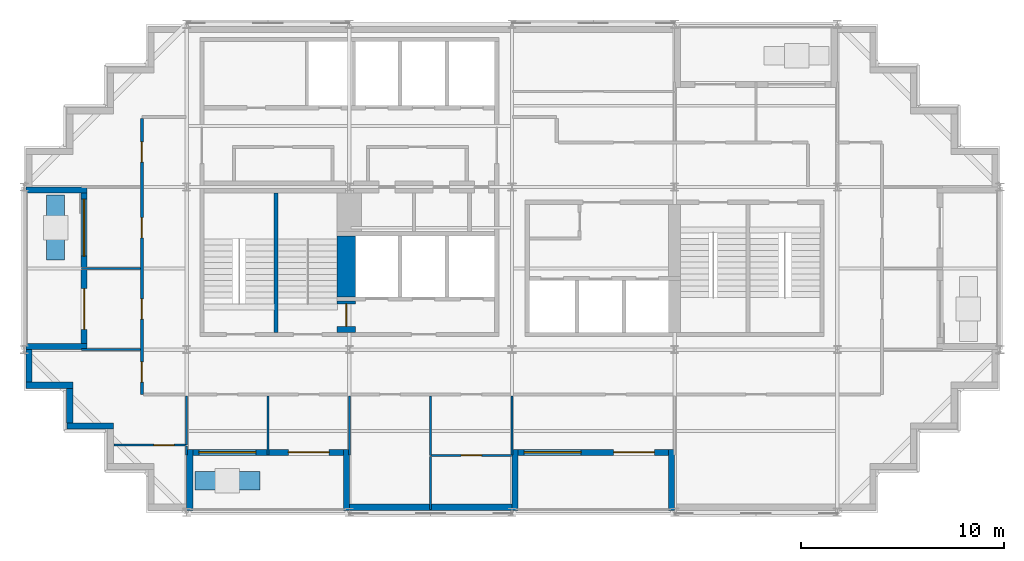
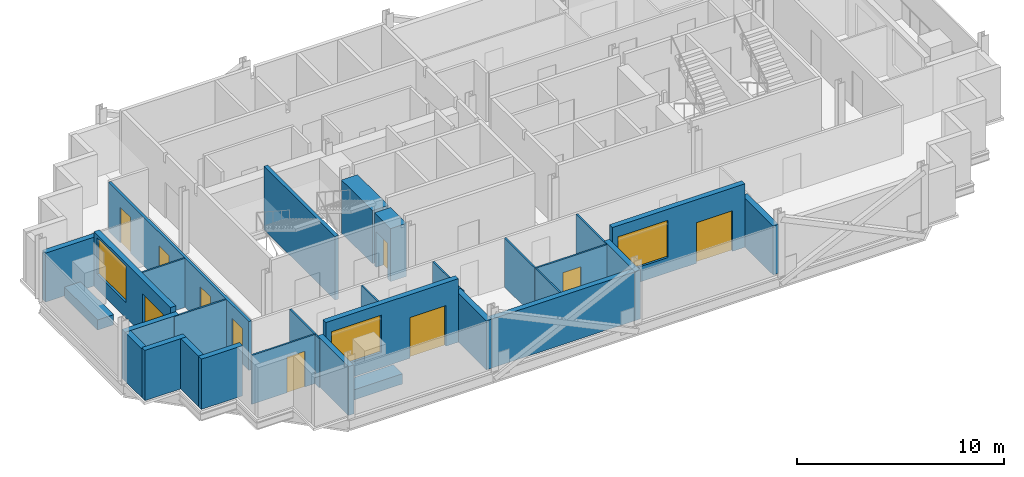
# One storey, part 4 of 10: 31 walls, 10 doors, 3 windows, 13 openings.
"""IFC4 building model written with IfcOpenShell, lengths in metres."""

import ifcopenshell
import ifcopenshell.guid

model = None  # the IFC model being written
_history = None  # IfcOwnerHistory: only IFC2X3 demands one
_inside = {}  # id of a spatial element -> (the spatial element, [elements in it])
_under = {}  # id of a project, library or spatial element -> (it, [spatial elements below it])
_declared = {}  # id of a project -> (the project, [libraries it declares])
_typed = {}  # id of a type object -> (the type object, [elements of that type])
_made_of = {}  # id of a material, layer set ... -> (it, [elements and type objects made of it])


def new_model(schema):
    """Start an empty IFC model of exactly this schema.

    Asked for "IFC4X3", IfcOpenShell would pick the latest addendum, in which some entities
    have other attributes; the version numbers below select the first issue.
    IFC2X3 requires an IfcOwnerHistory on every rooted entity: one is made here for all.
    """
    global model, _history
    if schema == "IFC4X3":
        model = ifcopenshell.file(schema_version=(4, 3, 0, 0))
    else:
        model = ifcopenshell.file(schema=schema)
    _inside.clear()
    _under.clear()
    _declared.clear()
    _typed.clear()
    _made_of.clear()
    _history = None
    if model.schema == "IFC2X3":
        org = make("IfcOrganization", Name="unknown")
        user = make(
            "IfcPersonAndOrganization",
            ThePerson=make("IfcPerson", FamilyName="unknown"),
            TheOrganization=org,
        )
        app = make(
            "IfcApplication",
            ApplicationDeveloper=org,
            Version="unknown",
            ApplicationFullName="unknown",
            ApplicationIdentifier="unknown",
        )
        _history = make(
            "IfcOwnerHistory",
            OwningUser=user,
            OwningApplication=app,
            ChangeAction="ADDED",
            CreationDate=0,
        )
    return model


def make(cls, **values):
    """One entity of the class cls with the attributes given. An attribute that is None is left unset."""
    return model.create_entity(
        cls, **{name: value for name, value in values.items() if value is not None}
    )


def rooted(cls, **values):
    """An entity with a GlobalId (a new one), such as an element, a storey or a relation."""
    return make(cls, GlobalId=ifcopenshell.guid.new(), OwnerHistory=_history, **values)


def si_unit(unit_type, name, prefix=None):
    """IfcSIUnit, for example si_unit("LENGTHUNIT", "METRE", prefix="MILLI")."""
    return make("IfcSIUnit", UnitType=unit_type, Prefix=prefix, Name=name)


def assignment(units):
    """IfcUnitAssignment: the units of a project."""
    return None if units is None else make("IfcUnitAssignment", Units=units)


def point(xyz):
    """IfcCartesianPoint."""
    return None if xyz is None else make("IfcCartesianPoint", Coordinates=xyz)


def direction(xyz):
    """IfcDirection."""
    return None if xyz is None else make("IfcDirection", DirectionRatios=xyz)


def frame(location, z_axis=None, x_axis=None):
    """IfcAxis2Placement3D, a coordinate frame: its origin and axes. An axis left out is left unset."""
    return make(
        "IfcAxis2Placement3D",
        Location=point(location),
        Axis=direction(z_axis),
        RefDirection=direction(x_axis),
    )


def frame_2d(location, x_axis=None):
    """IfcAxis2Placement2D, a coordinate frame in the plane: its origin and x axis."""
    return make(
        "IfcAxis2Placement2D", Location=point(location), RefDirection=direction(x_axis)
    )


def origin():
    """The frame at (0, 0, 0) with its axes left unset."""
    return frame((0.0, 0.0, 0.0))


def place(relative_to, where):
    """IfcLocalPlacement: puts the frame where relative to a parent placement (None: the world)."""
    return make(
        "IfcLocalPlacement", PlacementRelTo=relative_to, RelativePlacement=where
    )


def context(
    kind, dimensions, precision=None, world=None, true_north=None, identifier=None
):
    """IfcGeometricRepresentationContext, for example the 3D "Model" context."""
    return make(
        "IfcGeometricRepresentationContext",
        ContextIdentifier=identifier,
        ContextType=kind,
        CoordinateSpaceDimension=dimensions,
        Precision=precision,
        WorldCoordinateSystem=world,
        TrueNorth=true_north,
    )


def subcontext(parent, identifier, kind, view, scale=None):
    """IfcGeometricRepresentationSubContext, for example "Body" below "Model"."""
    return make(
        "IfcGeometricRepresentationSubContext",
        ContextIdentifier=identifier,
        ContextType=kind,
        ParentContext=parent,
        TargetScale=scale,
        TargetView=view,
    )


def project(units=None, contexts=None):
    """IfcProject with its units and contexts."""
    return rooted(
        "IfcProject",
        Name="project",
        RepresentationContexts=contexts,
        UnitsInContext=assignment(units),
    )


def spatial(cls, under=None, at=None, **own):
    """A site, building, storey or space (cls), placed at a placement, below another one or the project."""
    s = rooted(cls, ObjectPlacement=at, **own)
    if under is not None:
        _under.setdefault(under.id(), (under, []))[1].append(s)
    return s


def profile(cls, at=None, kind="AREA", **sizes):
    """A parametric profile (cls). Its sizes go by their IFC names, for example OverallWidth=200.0."""
    return make(cls, ProfileType=kind, Position=at, **sizes)


def rectangle(**sizes):
    """IfcRectangleProfileDef."""
    return profile("IfcRectangleProfileDef", **sizes)


def extrude(swept, where, along, depth):
    """IfcExtrudedAreaSolid: the profile swept, set in the frame where, extruded along a direction by depth."""
    return make(
        "IfcExtrudedAreaSolid",
        SweptArea=swept,
        Position=where,
        ExtrudedDirection=direction(along),
        Depth=depth,
    )


def shape(context_of_items, identifier, shape_type, items):
    """IfcShapeRepresentation: the items that make up one representation, for example the "Body"."""
    return make(
        "IfcShapeRepresentation",
        ContextOfItems=context_of_items,
        RepresentationIdentifier=identifier,
        RepresentationType=shape_type,
        Items=items,
    )


def material(Name=None, Category=None):
    """IfcMaterial."""
    return make("IfcMaterial", Name=Name, Category=Category)


def layer(
    of_material, thickness, ventilated=None, Name=None, Category=None, Priority=None
):
    """IfcMaterialLayer: one layer of a wall or slab, of a material (None: an air gap)."""
    return make(
        "IfcMaterialLayer",
        Material=of_material,
        LayerThickness=thickness,
        IsVentilated=ventilated,
        Name=Name,
        Category=Category,
        Priority=Priority,
    )


def layer_set(layers, Name=None):
    """IfcMaterialLayerSet."""
    return make("IfcMaterialLayerSet", MaterialLayers=layers, LayerSetName=Name)


def made_of(thing, what):
    """Note that an element or type object is made of a material, layer set ...; save() writes the relation."""
    if what is not None:
        _made_of.setdefault(what.id(), (what, []))[1].append(thing)
    return thing


def type_object(cls, material=None, **own):
    """A type object (cls), such as IfcWallType, which elements share."""
    return made_of(rooted(cls, **own), material)


def element(
    cls,
    number,
    at=None,
    inside=None,
    cuts=None,
    type_object=None,
    material=None,
    context=None,
    identifier="Body",
    shape_type=None,
    held_by="IfcProductDefinitionShape",
    body=None,
    shapes=None,
    **own,
):
    """One element of the class cls, such as IfcWall. Its Tag is "e" and its number.

    at: its placement. inside: the storey or other place that contains it. cuts: it is an
    opening in that element (IfcRelVoidsElement). A single representation is given by context,
    identifier, shape_type and body (its items); several are given by shapes. held_by: the class
    of the entity that holds the representations. save() writes the other relations.
    """
    e = rooted(cls, Tag="e%d" % number, ObjectPlacement=at, **own)
    if body is not None:
        shapes = [shape(context, identifier, shape_type, body)]
    if shapes is not None:
        e.Representation = make(held_by, Representations=shapes)
    if inside is not None:
        _inside.setdefault(inside.id(), (inside, []))[1].append(e)
    if cuts is not None:
        rooted(
            "IfcRelVoidsElement", RelatingBuildingElement=cuts, RelatedOpeningElement=e
        )
    if type_object is not None:
        _typed.setdefault(type_object.id(), (type_object, []))[1].append(e)
    return made_of(e, material)


def fill(opening, filler):
    """IfcRelFillsElement: the door or window that sits in an opening."""
    return rooted(
        "IfcRelFillsElement",
        RelatingOpeningElement=opening,
        RelatedBuildingElement=filler,
    )


def aggregate(whole, parts):
    """IfcRelAggregates: a whole, such as a stair, and the parts it consists of."""
    return rooted("IfcRelAggregates", RelatingObject=whole, RelatedObjects=parts)


def save(model, path):
    """Write the relations noted so far, then the file.

    IfcRelAggregates (storeys below a building ...), IfcRelContainedInSpatialStructure (elements
    in a storey), IfcRelDefinesByType, IfcRelAssociatesMaterial and IfcRelDeclares: one each for
    every whole, place, type object, material and project.
    """
    for whole, parts in _under.values():
        aggregate(whole, parts)
    for where, things in _inside.values():
        rooted(
            "IfcRelContainedInSpatialStructure",
            RelatedElements=things,
            RelatingStructure=where,
        )
    for kind, things in _typed.values():
        rooted("IfcRelDefinesByType", RelatedObjects=things, RelatingType=kind)
    for what, things in _made_of.values():
        rooted("IfcRelAssociatesMaterial", RelatedObjects=things, RelatingMaterial=what)
    for by, libraries in _declared.values():
        rooted("IfcRelDeclares", RelatingContext=by, RelatedDefinitions=libraries)
    model.write(path)


model = new_model("IFC4")

# Units and contexts
model_context = context("Model", 3, precision=1e-05, world=origin(), true_north=direction((0.0, 1.0)))
body_context = subcontext(model_context, "Body", "Model", "MODEL_VIEW")
ifc_project = project(units=[si_unit("LENGTHUNIT", "METRE"), si_unit("AREAUNIT", "SQUARE_METRE"), si_unit("VOLUMEUNIT", "CUBIC_METRE"), si_unit("PLANEANGLEUNIT", "RADIAN"), si_unit("MASSUNIT", "GRAM", prefix="KILO")], contexts=[model_context])

# Site, building, storey
site_placement = place(None, origin())
site = spatial("IfcSite", under=ifc_project, at=site_placement, CompositionType="ELEMENT")
building_placement = place(site_placement, origin())
building = spatial("IfcBuilding", under=site, at=building_placement, Name="Immortelle Media Tower", CompositionType="ELEMENT")
storey_placement = place(building_placement, frame((0.0, 0.0, 237.0)))
storey = spatial("IfcBuildingStorey", under=building, at=storey_placement, Name="L51", CompositionType="ELEMENT", Elevation=237.0)

# Wall, openings, doors
ifc_material_1 = material(Name="Fire-rated gypsum board", Category="gypsum")
ifc_layer_1 = layer(ifc_material_1, 0.012451171875)
ifc_material_2 = material(Name="Steel ASTM A653 SS Gr 50 stud frame with mineral wool", Category="steel")
ifc_layer_2 = layer(ifc_material_2, 0.125)
ifc_layer_3 = layer(ifc_material_1, 0.012451171875)
ifc_layer_set_1 = layer_set([ifc_layer_1, ifc_layer_2, ifc_layer_3], Name="Steel ASTM A653 SS Gr 50 stud frame with mineral wool")
wall_type_1 = type_object("IfcWallType", Name="Corridor wall 150", PredefinedType="PARTITIONING", material=ifc_layer_set_1)
wall_1_placement = place(storey_placement, frame((5.800048828125, 5.800048828125, 0.0), z_axis=(0.0, 0.0, 1.0), x_axis=(0.0, 1.0, 0.0)))
wall_1 = element("IfcWall", 1, at=wall_1_placement, inside=storey, type_object=wall_type_1, Name="Partition L51-012", PredefinedType="PARTITIONING", context=body_context, shape_type="SweptSolid", body=[
    extrude(rectangle(XDim=13.574951171875, YDim=0.14990234375, at=frame_2d((6.78759765625, 0.0))), origin(), (0.0, 0.0, 1.0), 2.885009765625),
])
opening_1_placement = place(wall_1_placement, frame((1.60009765625, 0.0, 0.0), z_axis=(0.0, 0.0, 1.0), x_axis=(-1.0, 0.0, 0.0)))
opening_1 = element("IfcOpeningElement", 2, at=opening_1_placement, cuts=wall_1, Name="Opening O6-F008", PredefinedType="OPENING", context=body_context, shape_type="SweptSolid", body=[
    extrude(rectangle(XDim=1.0, YDim=2.10009765625, at=frame_2d((0.5, 1.050048828125))), frame((0.0, 0.0849609375, 0.0), z_axis=(0.0, -1.0, 0.0), x_axis=(1.0, 0.0, 0.0)), (0.0, 0.0, 1.0), 0.169921875),
])
opening_2_placement = place(wall_1_placement, frame((3.699951171875, 0.0, 0.0)))
opening_2 = element("IfcOpeningElement", 3, at=opening_2_placement, cuts=wall_1, Name="Opening O6-F010", PredefinedType="OPENING", context=body_context, shape_type="SweptSolid", body=[
    extrude(rectangle(XDim=1.0, YDim=2.10009765625, at=frame_2d((0.5, 1.050048828125))), frame((0.0, 0.0849609375, 0.0), z_axis=(0.0, -1.0, 0.0), x_axis=(1.0, 0.0, 0.0)), (0.0, 0.0, 1.0), 0.169921875),
])
opening_3_placement = place(wall_1_placement, frame((7.699951171875, 0.0, 0.0)))
opening_3 = element("IfcOpeningElement", 4, at=opening_3_placement, cuts=wall_1, Name="Opening O6-F011", PredefinedType="OPENING", context=body_context, shape_type="SweptSolid", body=[
    extrude(rectangle(XDim=1.0, YDim=2.10009765625, at=frame_2d((0.5, 1.050048828125))), frame((0.0, 0.0849609375, 0.0), z_axis=(0.0, -1.0, 0.0), x_axis=(1.0, 0.0, 0.0)), (0.0, 0.0, 1.0), 0.169921875),
])
opening_4_placement = place(wall_1_placement, frame((11.425048828125, 0.0, 0.0)))
opening_4 = element("IfcOpeningElement", 5, at=opening_4_placement, cuts=wall_1, Name="Opening O6-F014", PredefinedType="OPENING", context=body_context, shape_type="SweptSolid", body=[
    extrude(rectangle(XDim=1.0, YDim=2.10009765625, at=frame_2d((0.5, 1.050048828125))), frame((0.0, 0.0849609375, 0.0), z_axis=(0.0, -1.0, 0.0), x_axis=(1.0, 0.0, 0.0)), (0.0, 0.0, 1.0), 0.169921875),
])
ifc_material_3 = material(Name="Timber veneered door leaf, galvanised steel frame ASTM A653", Category="steel")
door_type_1 = type_object("IfcDoorType", Name="Room door 1000 x 2100", OperationType="NOTDEFINED", PredefinedType="DOOR", material=ifc_material_3)
door_1_placement = place(opening_1_placement, origin())
door_1 = element("IfcDoor", 6, at=door_1_placement, inside=storey, type_object=door_type_1, Name="Door O6-F008", OperationType="SINGLE_SWING_LEFT", OverallHeight=2.10009765625, OverallWidth=1.0, PredefinedType="DOOR", context=body_context, shape_type="SweptSolid", body=[
    extrude(rectangle(XDim=1.0, YDim=2.10009765625, at=frame_2d((0.5, 1.050048828125))), frame((0.0, 0.02490234375, 0.0), z_axis=(0.0, -1.0, 0.0), x_axis=(1.0, 0.0, 0.0)), (0.0, 0.0, 1.0), 0.050048828125),
])
fill(opening_1, door_1)
door_2_placement = place(opening_2_placement, origin())
door_2 = element("IfcDoor", 7, at=door_2_placement, inside=storey, type_object=door_type_1, Name="Door O6-F010", OperationType="SINGLE_SWING_LEFT", OverallHeight=2.10009765625, OverallWidth=1.0, PredefinedType="DOOR", context=body_context, shape_type="SweptSolid", body=[
    extrude(rectangle(XDim=1.0, YDim=2.10009765625, at=frame_2d((0.5, 1.050048828125))), frame((0.0, 0.02490234375, 0.0), z_axis=(0.0, -1.0, 0.0), x_axis=(1.0, 0.0, 0.0)), (0.0, 0.0, 1.0), 0.050048828125),
])
fill(opening_2, door_2)
door_3_placement = place(opening_3_placement, origin())
door_3 = element("IfcDoor", 8, at=door_3_placement, inside=storey, type_object=door_type_1, Name="Door O6-F011", OperationType="SINGLE_SWING_LEFT", OverallHeight=2.10009765625, OverallWidth=1.0, PredefinedType="DOOR", context=body_context, shape_type="SweptSolid", body=[
    extrude(rectangle(XDim=1.0, YDim=2.10009765625, at=frame_2d((0.5, 1.050048828125))), frame((0.0, 0.02490234375, 0.0), z_axis=(0.0, -1.0, 0.0), x_axis=(1.0, 0.0, 0.0)), (0.0, 0.0, 1.0), 0.050048828125),
])
fill(opening_3, door_3)
door_4_placement = place(opening_4_placement, origin())
door_4 = element("IfcDoor", 9, at=door_4_placement, inside=storey, type_object=door_type_1, Name="Door O6-F014", OperationType="SINGLE_SWING_LEFT", OverallHeight=2.10009765625, OverallWidth=1.0, PredefinedType="DOOR", context=body_context, shape_type="SweptSolid", body=[
    extrude(rectangle(XDim=1.0, YDim=2.10009765625, at=frame_2d((0.5, 1.050048828125))), frame((0.0, 0.02490234375, 0.0), z_axis=(0.0, -1.0, 0.0), x_axis=(1.0, 0.0, 0.0)), (0.0, 0.0, 1.0), 0.050048828125),
])
fill(opening_4, door_4)

# Walls
ifc_material_4 = material(Name="Pale aluminium cladding panel", Category="aluminium")
ifc_layer_4 = layer(ifc_material_4, 0.030029296875)
ifc_layer_5 = layer(ifc_material_2, 0.257568359375)
ifc_material_5 = material(Name="Moisture-resistant gypsum board", Category="gypsum")
ifc_layer_6 = layer(ifc_material_5, 0.012451171875)
ifc_layer_set_2 = layer_set([ifc_layer_4, ifc_layer_5, ifc_layer_6], Name="Steel ASTM A653 SS Gr 50 stud frame with mineral wool")
wall_type_2 = type_object("IfcWallType", Name="Facade wall 300", PredefinedType="SOLIDWALL", material=ifc_layer_set_2)
wall_2_placement = place(storey_placement, frame((0.10009765625, 6.25, 0.0), z_axis=(0.0, 0.0, 1.0), x_axis=(1.0, 0.0, 0.0)))
element("IfcWall", 10, at=wall_2_placement, inside=storey, type_object=wall_type_2, Name="Facade wall L51 S0", PredefinedType="SOLIDWALL", context=body_context, shape_type="SweptSolid", body=[
    extrude(rectangle(XDim=2.2998046875, YDim=0.300048828125, at=frame_2d((1.14990234375, 0.0))), origin(), (0.0, 0.0, 1.0), 2.968994140625),
])
wall_3_placement = place(storey_placement, frame((2.25, 6.10009765625, 0.0), z_axis=(0.0, 0.0, 1.0), x_axis=(0.0, -1.0, 0.0)))
element("IfcWall", 11, at=wall_3_placement, inside=storey, type_object=wall_type_2, Name="Facade wall L51 W1", PredefinedType="SOLIDWALL", context=body_context, shape_type="SweptSolid", body=[
    extrude(rectangle(XDim=1.7001953125, YDim=0.300048828125, at=frame_2d((0.85009765625, 0.0))), origin(), (0.0, 0.0, 1.0), 2.968994140625),
])
wall_4_placement = place(storey_placement, frame((2.10009765625, 4.25, 0.0), z_axis=(0.0, 0.0, 1.0), x_axis=(1.0, 0.0, 0.0)))
element("IfcWall", 12, at=wall_4_placement, inside=storey, type_object=wall_type_2, Name="Facade wall L51 S2", PredefinedType="SOLIDWALL", context=body_context, shape_type="SweptSolid", body=[
    extrude(rectangle(XDim=2.2998046875, YDim=0.300048828125, at=frame_2d((1.14990234375, 0.0))), origin(), (0.0, 0.0, 1.0), 2.968994140625),
])

# Wall, openings, door, window
wall_5_placement = place(storey_placement, frame((8.300048828125, 2.949951171875, 0.0), z_axis=(0.0, 0.0, 1.0), x_axis=(1.0, 0.0, 0.0)))
wall_5 = element("IfcWall", 13, at=wall_5_placement, inside=storey, type_object=wall_type_2, Name="Loggia wall L51 S6", PredefinedType="SOLIDWALL", context=body_context, shape_type="SweptSolid", body=[
    extrude(rectangle(XDim=7.39990234375, YDim=0.300048828125, at=frame_2d((3.699951171875, 0.0))), origin(), (0.0, 0.0, 1.0), 3.75),
])
opening_5_placement = place(wall_5_placement, frame((0.300048828125, 0.0, 0.89990234375)))
opening_5 = element("IfcOpeningElement", 14, at=opening_5_placement, cuts=wall_5, Name="Opening W1", PredefinedType="OPENING", context=body_context, shape_type="SweptSolid", body=[
    extrude(rectangle(XDim=2.800048828125, YDim=2.199951171875, at=frame_2d((1.39990234375, 1.10009765625))), frame((0.0, 0.159912109375, 0.0), z_axis=(0.0, -1.0, 0.0), x_axis=(1.0, 0.0, 0.0)), (0.0, 0.0, 1.0), 0.320068359375),
])
opening_6_placement = place(wall_5_placement, frame((4.699951171875, 0.0, 0.0)))
opening_6 = element("IfcOpeningElement", 15, at=opening_6_placement, cuts=wall_5, Name="Opening O6-E001", PredefinedType="OPENING", context=body_context, shape_type="SweptSolid", body=[
    extrude(rectangle(XDim=2.0, YDim=2.39990234375, at=frame_2d((1.0, 1.199951171875))), frame((0.0, 0.159912109375, 0.0), z_axis=(0.0, -1.0, 0.0), x_axis=(1.0, 0.0, 0.0)), (0.0, 0.0, 1.0), 0.320068359375),
])
ifc_material_6 = material(Name="Aluminium frame, glazed leaves", Category="aluminium")
door_type_2 = type_object("IfcDoorType", Name="Loggia door 2000 x 2400", OperationType="DOUBLE_DOOR_SINGLE_SWING", PredefinedType="DOOR", material=ifc_material_6)
door_5_placement = place(opening_6_placement, origin())
door_5 = element("IfcDoor", 16, at=door_5_placement, inside=storey, type_object=door_type_2, Name="Door O6-E001", OperationType="DOUBLE_DOOR_SINGLE_SWING", OverallHeight=2.39990234375, OverallWidth=2.0, PredefinedType="DOOR", context=body_context, shape_type="SweptSolid", body=[
    extrude(rectangle(XDim=2.0, YDim=2.39990234375, at=frame_2d((1.0, 1.199951171875))), frame((0.0, 0.02490234375, 0.0), z_axis=(0.0, -1.0, 0.0), x_axis=(1.0, 0.0, 0.0)), (0.0, 0.0, 1.0), 0.050048828125),
])
fill(opening_6, door_5)
ifc_material_7 = material(Name="Aluminium frame", Category="aluminium")
window_type_1 = type_object("IfcWindowType", Name="Window 2800 x 2200", PartitioningType="SINGLE_PANEL", PredefinedType="WINDOW", material=ifc_material_7)
window_1_placement = place(opening_5_placement, origin())
window_1 = element("IfcWindow", 17, at=window_1_placement, inside=storey, type_object=window_type_1, Name="Window L51 L51-R6-B0", OverallHeight=2.199951171875, OverallWidth=2.800048828125, PartitioningType="SINGLE_PANEL", PredefinedType="WINDOW", context=body_context, shape_type="SweptSolid", body=[
    extrude(rectangle(XDim=2.800048828125, YDim=2.199951171875, at=frame_2d((1.39990234375, 1.10009765625))), frame((0.0, 0.030029296875, 0.0), z_axis=(0.0, -1.0, 0.0), x_axis=(1.0, 0.0, 0.0)), (0.0, 0.0, 1.0), 0.06005859375),
])
fill(opening_5, window_1)

# Walls
for number, where, z_axis, x_axis, name in (
    (18, (8.14990234375, 0.10009765625, 0.0), (0.0, 0.0, 1.0), (0.0, 1.0, 0.0), "Loggia cheek wall L51 S"),
    (19, (15.85009765625, 0.10009765625, 0.0), (0.0, 0.0, 1.0), (0.0, 1.0, 0.0), "Loggia cheek wall L51 S"),
):
    element("IfcWall", number, at=place(storey_placement, frame(where, z_axis=z_axis, x_axis=x_axis)), inside=storey, type_object=wall_type_2, Name=name, PredefinedType="SOLIDWALL", context=body_context, shape_type="SweptSolid", body=[
        extrude(rectangle(XDim=3.0, YDim=0.300048828125, at=frame_2d((1.5, 0.0))), origin(), (0.0, 0.0, 1.0), 2.889892578125),
    ])
wall_6_placement = place(storey_placement, frame((16.0, 0.25, 0.0), z_axis=(0.0, 0.0, 1.0), x_axis=(1.0, 0.0, 0.0)))
element("IfcWall", 20, at=wall_6_placement, inside=storey, type_object=wall_type_2, Name="Facade wall L51 S6", PredefinedType="SOLIDWALL", context=body_context, shape_type="SweptSolid", body=[
    extrude(rectangle(XDim=8.0, YDim=0.300048828125, at=frame_2d((4.0, 0.0))), origin(), (0.0, 0.0, 1.0), 2.889892578125),
])

# Wall, openings, door, window
wall_7_placement = place(storey_placement, frame((24.300048828125, 2.949951171875, 0.0), z_axis=(0.0, 0.0, 1.0), x_axis=(1.0, 0.0, 0.0)))
wall_7 = element("IfcWall", 21, at=wall_7_placement, inside=storey, type_object=wall_type_2, Name="Loggia wall L51 S6", PredefinedType="SOLIDWALL", context=body_context, shape_type="SweptSolid", body=[
    extrude(rectangle(XDim=7.39990234375, YDim=0.300048828125, at=frame_2d((3.699951171875, 0.0))), origin(), (0.0, 0.0, 1.0), 3.75),
])
opening_7_placement = place(wall_7_placement, frame((0.300048828125, 0.0, 0.89990234375)))
opening_7 = element("IfcOpeningElement", 22, at=opening_7_placement, cuts=wall_7, Name="Opening W1", PredefinedType="OPENING", context=body_context, shape_type="SweptSolid", body=[
    extrude(rectangle(XDim=2.800048828125, YDim=2.199951171875, at=frame_2d((1.39990234375, 1.10009765625))), frame((0.0, 0.159912109375, 0.0), z_axis=(0.0, -1.0, 0.0), x_axis=(1.0, 0.0, 0.0)), (0.0, 0.0, 1.0), 0.320068359375),
])
opening_8_placement = place(wall_7_placement, frame((4.699951171875, 0.0, 0.0)))
opening_8 = element("IfcOpeningElement", 23, at=opening_8_placement, cuts=wall_7, Name="Opening O6-E002", PredefinedType="OPENING", context=body_context, shape_type="SweptSolid", body=[
    extrude(rectangle(XDim=2.0, YDim=2.39990234375, at=frame_2d((1.0, 1.199951171875))), frame((0.0, 0.159912109375, 0.0), z_axis=(0.0, -1.0, 0.0), x_axis=(1.0, 0.0, 0.0)), (0.0, 0.0, 1.0), 0.320068359375),
])
door_6_placement = place(opening_8_placement, origin())
door_6 = element("IfcDoor", 24, at=door_6_placement, inside=storey, type_object=door_type_2, Name="Door O6-E002", OperationType="DOUBLE_DOOR_SINGLE_SWING", OverallHeight=2.39990234375, OverallWidth=2.0, PredefinedType="DOOR", context=body_context, shape_type="SweptSolid", body=[
    extrude(rectangle(XDim=2.0, YDim=2.39990234375, at=frame_2d((1.0, 1.199951171875))), frame((0.0, 0.02490234375, 0.0), z_axis=(0.0, -1.0, 0.0), x_axis=(1.0, 0.0, 0.0)), (0.0, 0.0, 1.0), 0.050048828125),
])
fill(opening_8, door_6)
window_2_placement = place(opening_7_placement, origin())
window_2 = element("IfcWindow", 25, at=window_2_placement, inside=storey, type_object=window_type_1, Name="Window L51 L51-R6-B2", OverallHeight=2.199951171875, OverallWidth=2.800048828125, PartitioningType="SINGLE_PANEL", PredefinedType="WINDOW", context=body_context, shape_type="SweptSolid", body=[
    extrude(rectangle(XDim=2.800048828125, YDim=2.199951171875, at=frame_2d((1.39990234375, 1.10009765625))), frame((0.0, 0.030029296875, 0.0), z_axis=(0.0, -1.0, 0.0), x_axis=(1.0, 0.0, 0.0)), (0.0, 0.0, 1.0), 0.06005859375),
])
fill(opening_7, window_2)

# Walls
for number, where, z_axis, x_axis, name in (
    (26, (24.14990234375, 0.10009765625, 0.0), (0.0, 0.0, 1.0), (0.0, 1.0, 0.0), "Loggia cheek wall L51 S"),
    (27, (31.85009765625, 0.10009765625, 0.0), (0.0, 0.0, 1.0), (0.0, 1.0, 0.0), "Loggia cheek wall L51 S"),
):
    element("IfcWall", number, at=place(storey_placement, frame(where, z_axis=z_axis, x_axis=x_axis)), inside=storey, type_object=wall_type_2, Name=name, PredefinedType="SOLIDWALL", context=body_context, shape_type="SweptSolid", body=[
        extrude(rectangle(XDim=3.0, YDim=0.300048828125, at=frame_2d((1.5, 0.0))), origin(), (0.0, 0.0, 1.0), 2.889892578125),
    ])

# Wall, openings, door, window
wall_8_placement = place(storey_placement, frame((2.949951171875, 15.699951171875, 0.0), z_axis=(0.0, 0.0, 1.0), x_axis=(0.0, -1.0, 0.0)))
wall_8 = element("IfcWall", 28, at=wall_8_placement, inside=storey, type_object=wall_type_2, Name="Loggia wall L51 W27", PredefinedType="SOLIDWALL", context=body_context, shape_type="SweptSolid", body=[
    extrude(rectangle(XDim=7.39990234375, YDim=0.300048828125, at=frame_2d((3.699951171875, 0.0))), origin(), (0.0, 0.0, 1.0), 3.222900390625),
])
opening_9_placement = place(wall_8_placement, frame((0.300048828125, 0.0, 0.89990234375)))
opening_9 = element("IfcOpeningElement", 29, at=opening_9_placement, cuts=wall_8, Name="Opening W12", PredefinedType="OPENING", context=body_context, shape_type="SweptSolid", body=[
    extrude(rectangle(XDim=2.800048828125, YDim=2.14990234375, at=frame_2d((1.39990234375, 1.074951171875))), frame((0.0, 0.159912109375, 0.0), z_axis=(0.0, -1.0, 0.0), x_axis=(1.0, 0.0, 0.0)), (0.0, 0.0, 1.0), 0.320068359375),
])
opening_10_placement = place(wall_8_placement, frame((4.699951171875, 0.0, 0.0)))
opening_10 = element("IfcOpeningElement", 30, at=opening_10_placement, cuts=wall_8, Name="Opening O6-E006", PredefinedType="OPENING", context=body_context, shape_type="SweptSolid", body=[
    extrude(rectangle(XDim=2.0, YDim=2.39990234375, at=frame_2d((1.0, 1.199951171875))), frame((0.0, 0.159912109375, 0.0), z_axis=(0.0, -1.0, 0.0), x_axis=(1.0, 0.0, 0.0)), (0.0, 0.0, 1.0), 0.320068359375),
])
door_7_placement = place(opening_10_placement, origin())
door_7 = element("IfcDoor", 31, at=door_7_placement, inside=storey, type_object=door_type_2, Name="Door O6-E006", OperationType="DOUBLE_DOOR_SINGLE_SWING", OverallHeight=2.39990234375, OverallWidth=2.0, PredefinedType="DOOR", context=body_context, shape_type="SweptSolid", body=[
    extrude(rectangle(XDim=2.0, YDim=2.39990234375, at=frame_2d((1.0, 1.199951171875))), frame((0.0, 0.02490234375, 0.0), z_axis=(0.0, -1.0, 0.0), x_axis=(1.0, 0.0, 0.0)), (0.0, 0.0, 1.0), 0.050048828125),
])
fill(opening_10, door_7)
window_type_2 = type_object("IfcWindowType", Name="Window 2800 x 2150", PartitioningType="SINGLE_PANEL", PredefinedType="WINDOW", material=ifc_material_7)
window_3_placement = place(opening_9_placement, origin())
window_3 = element("IfcWindow", 32, at=window_3_placement, inside=storey, type_object=window_type_2, Name="Window L51 L51-R27-B0", OverallHeight=2.14990234375, OverallWidth=2.800048828125, PartitioningType="SINGLE_PANEL", PredefinedType="WINDOW", context=body_context, shape_type="SweptSolid", body=[
    extrude(rectangle(XDim=2.800048828125, YDim=2.14990234375, at=frame_2d((1.39990234375, 1.074951171875))), frame((0.0, 0.030029296875, 0.0), z_axis=(0.0, -1.0, 0.0), x_axis=(1.0, 0.0, 0.0)), (0.0, 0.0, 1.0), 0.06005859375),
])
fill(opening_9, window_3)

# Walls
for number, where, z_axis, x_axis, name in (
    (33, (0.10009765625, 15.85009765625, 0.0), (0.0, 0.0, 1.0), (1.0, 0.0, 0.0), "Loggia cheek wall L51 W"),
    (34, (0.10009765625, 8.14990234375, 0.0), (0.0, 0.0, 1.0), (1.0, 0.0, 0.0), "Loggia cheek wall L51 W"),
):
    element("IfcWall", number, at=place(storey_placement, frame(where, z_axis=z_axis, x_axis=x_axis)), inside=storey, type_object=wall_type_2, Name=name, PredefinedType="SOLIDWALL", context=body_context, shape_type="SweptSolid", body=[
        extrude(rectangle(XDim=3.0, YDim=0.300048828125, at=frame_2d((1.5, 0.0))), origin(), (0.0, 0.0, 1.0), 2.889892578125),
    ])
wall_9_placement = place(storey_placement, frame((0.25, 8.0, 0.0), z_axis=(0.0, 0.0, 1.0), x_axis=(0.0, -1.0, 0.0)))
element("IfcWall", 35, at=wall_9_placement, inside=storey, type_object=wall_type_2, Name="Facade wall L51 W27", PredefinedType="SOLIDWALL", context=body_context, shape_type="SweptSolid", body=[
    extrude(rectangle(XDim=1.60009765625, YDim=0.300048828125, at=frame_2d((0.800048828125, 0.0))), origin(), (0.0, 0.0, 1.0), 2.889892578125),
])
ifc_material_8 = material(Name="Gypsum board", Category="gypsum")
ifc_layer_7 = layer(ifc_material_8, 0.012451171875)
ifc_layer_8 = layer(ifc_material_2, 0.074951171875)
ifc_layer_9 = layer(ifc_material_8, 0.012451171875)
ifc_layer_set_3 = layer_set([ifc_layer_7, ifc_layer_8, ifc_layer_9], Name="Steel ASTM A653 SS Gr 50 stud frame with mineral wool")
wall_type_3 = type_object("IfcWallType", Name="Partition 100", PredefinedType="PARTITIONING", material=ifc_layer_set_3)
wall_10_placement = place(storey_placement, frame((20.0, 0.1298828125, 0.0), z_axis=(0.0, 0.0, 1.0), x_axis=(0.0, 1.0, 0.0)))
element("IfcWall", 36, at=wall_10_placement, inside=storey, type_object=wall_type_3, Name="Partition L51-001", PredefinedType="PARTITIONING", context=body_context, shape_type="SweptSolid", body=[
    extrude(rectangle(XDim=2.6201171875, YDim=0.10009765625, at=frame_2d((1.31005859375, 0.0))), origin(), (0.0, 0.0, 1.0), 2.885009765625),
])

# Wall, opening, door
wall_11_placement = place(storey_placement, frame((20.050048828125, 2.800048828125, 0.0), z_axis=(0.0, 0.0, 1.0), x_axis=(1.0, 0.0, 0.0)))
wall_11 = element("IfcWall", 37, at=wall_11_placement, inside=storey, type_object=wall_type_3, Name="Partition L51-002", PredefinedType="PARTITIONING", context=body_context, shape_type="SweptSolid", body=[
    extrude(rectangle(XDim=3.919921875, YDim=0.10009765625, at=frame_2d((1.9599609375, 0.0))), origin(), (0.0, 0.0, 1.0), 2.885009765625),
])
opening_11_placement = place(wall_11_placement, frame((2.449951171875, 0.0, 0.0), z_axis=(0.0, 0.0, 1.0), x_axis=(-1.0, 0.0, 0.0)))
opening_11 = element("IfcOpeningElement", 38, at=opening_11_placement, cuts=wall_11, Name="Opening O6-F003", PredefinedType="OPENING", context=body_context, shape_type="SweptSolid", body=[
    extrude(rectangle(XDim=1.0, YDim=2.10009765625, at=frame_2d((0.5, 1.050048828125))), frame((0.0, 0.06005859375, 0.0), z_axis=(0.0, -1.0, 0.0), x_axis=(1.0, 0.0, 0.0)), (0.0, 0.0, 1.0), 0.1201171875),
])
door_8_placement = place(opening_11_placement, origin())
door_8 = element("IfcDoor", 39, at=door_8_placement, inside=storey, type_object=door_type_1, Name="Door O6-F003", OperationType="SINGLE_SWING_LEFT", OverallHeight=2.10009765625, OverallWidth=1.0, PredefinedType="DOOR", context=body_context, shape_type="SweptSolid", body=[
    extrude(rectangle(XDim=1.0, YDim=2.10009765625, at=frame_2d((0.5, 1.050048828125))), frame((0.0, 0.02490234375, 0.0), z_axis=(0.0, -1.0, 0.0), x_axis=(1.0, 0.0, 0.0)), (0.0, 0.0, 1.0), 0.050048828125),
])
fill(opening_11, door_8)

# Walls
wall_12_placement = place(storey_placement, frame((20.0, 2.800048828125, 0.0), z_axis=(0.0, 0.0, 1.0), x_axis=(0.0, 1.0, 0.0)))
element("IfcWall", 40, at=wall_12_placement, inside=storey, type_object=wall_type_3, Name="Partition L51-003", PredefinedType="PARTITIONING", context=body_context, shape_type="SweptSolid", body=[
    extrude(rectangle(XDim=2.925048828125, YDim=0.10009765625, at=frame_2d((1.46240234375, 0.0))), origin(), (0.0, 0.0, 1.0), 2.885009765625),
])
wall_13_placement = place(storey_placement, frame((8.0, 2.830078125, 0.0), z_axis=(0.0, 0.0, 1.0), x_axis=(0.0, 1.0, 0.0)))
element("IfcWall", 41, at=wall_13_placement, inside=storey, type_object=wall_type_3, Name="Partition L51-004", PredefinedType="PARTITIONING", context=body_context, shape_type="SweptSolid", body=[
    extrude(rectangle(XDim=0.419921875, YDim=0.10009765625, at=frame_2d((0.2099609375, 0.0))), origin(), (0.0, 0.0, 1.0), 2.885009765625),
])
for number, where, z_axis, x_axis, name in (
    (42, (12.0, 2.830078125, 0.0), (0.0, 0.0, 1.0), (0.0, 1.0, 0.0), "Partition L51-005"),
    (43, (16.0, 2.830078125, 0.0), (0.0, 0.0, 1.0), (0.0, 1.0, 0.0), "Partition L51-006"),
    (44, (24.0, 2.830078125, 0.0), (0.0, 0.0, 1.0), (0.0, 1.0, 0.0), "Partition L51-007"),
):
    element("IfcWall", number, at=place(storey_placement, frame(where, z_axis=z_axis, x_axis=x_axis)), inside=storey, type_object=wall_type_3, Name=name, PredefinedType="PARTITIONING", context=body_context, shape_type="SweptSolid", body=[
        extrude(rectangle(XDim=2.89501953125, YDim=0.10009765625, at=frame_2d((1.447509765625, 0.0))), origin(), (0.0, 0.0, 1.0), 2.885009765625),
    ])

# Wall, opening, door
wall_14_placement = place(storey_placement, frame((4.429931640625, 3.300048828125, 0.0), z_axis=(0.0, 0.0, 1.0), x_axis=(1.0, 0.0, 0.0)))
wall_14 = element("IfcWall", 45, at=wall_14_placement, inside=storey, type_object=wall_type_3, Name="Partition L51-009", PredefinedType="PARTITIONING", context=body_context, shape_type="SweptSolid", body=[
    extrude(rectangle(XDim=3.52001953125, YDim=0.10009765625, at=frame_2d((1.760009765625, 0.0))), origin(), (0.0, 0.0, 1.0), 2.885009765625),
])
opening_12_placement = place(wall_14_placement, frame((2.949951171875, 0.0, 0.0), z_axis=(0.0, 0.0, 1.0), x_axis=(-1.0, 0.0, 0.0)))
opening_12 = element("IfcOpeningElement", 46, at=opening_12_placement, cuts=wall_14, Name="Opening O6-F009", PredefinedType="OPENING", context=body_context, shape_type="SweptSolid", body=[
    extrude(rectangle(XDim=1.0, YDim=2.10009765625, at=frame_2d((0.5, 1.050048828125))), frame((0.0, 0.06005859375, 0.0), z_axis=(0.0, -1.0, 0.0), x_axis=(1.0, 0.0, 0.0)), (0.0, 0.0, 1.0), 0.1201171875),
])
door_9_placement = place(opening_12_placement, origin())
door_9 = element("IfcDoor", 47, at=door_9_placement, inside=storey, type_object=door_type_1, Name="Door O6-F009", OperationType="SINGLE_SWING_LEFT", OverallHeight=2.10009765625, OverallWidth=1.0, PredefinedType="DOOR", context=body_context, shape_type="SweptSolid", body=[
    extrude(rectangle(XDim=1.0, YDim=2.10009765625, at=frame_2d((0.5, 1.050048828125))), frame((0.0, 0.02490234375, 0.0), z_axis=(0.0, -1.0, 0.0), x_axis=(1.0, 0.0, 0.0)), (0.0, 0.0, 1.0), 0.050048828125),
])
fill(opening_12, door_9)

# Walls
wall_15_placement = place(storey_placement, frame((8.0, 3.300048828125, 0.0), z_axis=(0.0, 0.0, 1.0), x_axis=(0.0, 1.0, 0.0)))
element("IfcWall", 48, at=wall_15_placement, inside=storey, type_object=wall_type_3, Name="Partition L51-010", PredefinedType="PARTITIONING", context=body_context, shape_type="SweptSolid", body=[
    extrude(rectangle(XDim=2.425048828125, YDim=0.10009765625, at=frame_2d((1.21240234375, 0.0))), origin(), (0.0, 0.0, 1.0), 2.885009765625),
])
for number, where, z_axis, x_axis, name in (
    (49, (2.830078125, 8.0, 0.0), (0.0, 0.0, 1.0), (1.0, 0.0, 0.0), "Partition L51-014"),
    (50, (2.830078125, 12.0, 0.0), (0.0, 0.0, 1.0), (1.0, 0.0, 0.0), "Partition L51-016"),
):
    element("IfcWall", number, at=place(storey_placement, frame(where, z_axis=z_axis, x_axis=x_axis)), inside=storey, type_object=wall_type_3, Name=name, PredefinedType="PARTITIONING", context=body_context, shape_type="SweptSolid", body=[
        extrude(rectangle(XDim=2.89501953125, YDim=0.10009765625, at=frame_2d((1.447509765625, 0.0))), origin(), (0.0, 0.0, 1.0), 2.885009765625),
    ])
ifc_layer_10 = layer(ifc_material_4, 0.0029296875)
ifc_material_9 = material(Name="Steel ASTM A572 Gr 50 planter shell", Category="steel")
ifc_layer_11 = layer(ifc_material_9, 0.011962890625)
ifc_material_10 = material(Name="Planting substrate", Category="soil")
ifc_layer_12 = layer(ifc_material_10, 0.873046875)
ifc_layer_13 = layer(ifc_material_9, 0.011962890625)
ifc_layer_set_4 = layer_set([ifc_layer_10, ifc_layer_11, ifc_layer_12, ifc_layer_13], Name="Steel ASTM A572 Gr 50 planter shell")
wall_type_4 = type_object("IfcWallType", Name="Planter wall 900", PredefinedType="SOLIDWALL", material=ifc_layer_set_4)
for number, where, z_axis, x_axis, name in (
    (51, (8.39990234375, 1.550048828125, 0.0), (0.0, 0.0, 1.0), (1.0, 0.0, 0.0), "Planter L51 S0"),
    (52, (1.550048828125, 15.60009765625, 0.0), (0.0, 0.0, 1.0), (0.0, -1.0, 0.0), "Planter L51 W0"),
):
    element("IfcWall", number, at=place(storey_placement, frame(where, z_axis=z_axis, x_axis=x_axis)), inside=storey, type_object=wall_type_4, Name=name, PredefinedType="SOLIDWALL", context=body_context, shape_type="SweptSolid", body=[
        extrude(rectangle(XDim=3.2001953125, YDim=0.89990234375, at=frame_2d((1.60009765625, 0.0))), origin(), (0.0, 0.0, 1.0), 0.60009765625),
    ])
ifc_material_11 = material(Name="Concrete C60", Category="concrete")
ifc_layer_14 = layer(ifc_material_11, 0.199951171875)
ifc_layer_set_5 = layer_set([ifc_layer_14], Name="Concrete C60")
wall_type_5 = type_object("IfcWallType", Name="Stair shaft wall 200", PredefinedType="PARTITIONING", material=ifc_layer_set_5)
wall_16_placement = place(storey_placement, frame((12.39990234375, 8.85009765625, 0.0), z_axis=(0.0, 0.0, 1.0), x_axis=(0.0, 1.0, 0.0)))
element("IfcWall", 53, at=wall_16_placement, inside=storey, type_object=wall_type_5, Name="Stair shaft wall SW", PredefinedType="PARTITIONING", context=body_context, shape_type="SweptSolid", body=[
    extrude(rectangle(XDim=6.849853515625, YDim=0.199951171875, at=frame_2d((3.4248046875, 0.0))), origin(), (0.0, 0.0, 1.0), 3.75),
])

# Wall, opening, door
ifc_layer_15 = layer(ifc_material_11, 0.89990234375)
ifc_layer_set_6 = layer_set([ifc_layer_15], Name="Concrete C60")
wall_type_6 = type_object("IfcWallType", Name="Stair shaft wall 900", PredefinedType="PARTITIONING", material=ifc_layer_set_6)
wall_17_placement = place(storey_placement, frame((15.85009765625, 8.85009765625, 0.0), z_axis=(0.0, 0.0, 1.0), x_axis=(0.0, 1.0, 0.0)))
wall_17 = element("IfcWall", 54, at=wall_17_placement, inside=storey, type_object=wall_type_6, Name="Stair shaft wall SW", PredefinedType="PARTITIONING", context=body_context, shape_type="SweptSolid", body=[
    extrude(rectangle(XDim=1.5498046875, YDim=0.89990234375, at=frame_2d((0.77490234375, 0.0))), origin(), (0.0, 0.0, 1.0), 3.132080078125),
])
opening_13_placement = place(wall_17_placement, frame((0.300048828125, 0.0, 0.0)))
opening_13 = element("IfcOpeningElement", 55, at=opening_13_placement, cuts=wall_17, Name="Opening O6-K007", PredefinedType="OPENING", context=body_context, shape_type="SweptSolid", body=[
    extrude(rectangle(XDim=1.10009765625, YDim=2.10009765625, at=frame_2d((0.550048828125, 1.050048828125))), frame((0.0, 0.4599609375, 0.0), z_axis=(0.0, -1.0, 0.0), x_axis=(1.0, 0.0, 0.0)), (0.0, 0.0, 1.0), 0.919921875),
])
ifc_material_12 = material(Name="Galvanised steel door leaf and frame ASTM A653", Category="steel")
door_type_3 = type_object("IfcDoorType", Name="Stair lobby door 1100 x 2100", OperationType="NOTDEFINED", PredefinedType="NOTDEFINED", material=ifc_material_12)
door_10_placement = place(opening_13_placement, origin())
door_10 = element("IfcDoor", 56, at=door_10_placement, inside=storey, type_object=door_type_3, Name="Stair lobby O6-K007", OperationType="SINGLE_SWING_LEFT", OverallHeight=2.10009765625, OverallWidth=1.10009765625, PredefinedType="NOTDEFINED", context=body_context, shape_type="SweptSolid", body=[
    extrude(rectangle(XDim=1.10009765625, YDim=2.10009765625, at=frame_2d((0.550048828125, 1.050048828125))), frame((0.0, 0.02490234375, 0.0), z_axis=(0.0, -1.0, 0.0), x_axis=(1.0, 0.0, 0.0)), (0.0, 0.0, 1.0), 0.050048828125),
])
fill(opening_13, door_10)

# Wall
wall_18_placement = place(storey_placement, frame((15.85009765625, 10.60009765625, 0.0), z_axis=(0.0, 0.0, 1.0), x_axis=(0.0, 1.0, 0.0)))
element("IfcWall", 57, at=wall_18_placement, inside=storey, type_object=wall_type_6, Name="Stair shaft wall SW", PredefinedType="PARTITIONING", context=body_context, shape_type="SweptSolid", body=[
    extrude(rectangle(XDim=3.0, YDim=0.89990234375, at=frame_2d((1.5, 0.0))), origin(), (0.0, 0.0, 1.0), 3.132080078125),
])

save(model, "model.ifc")
